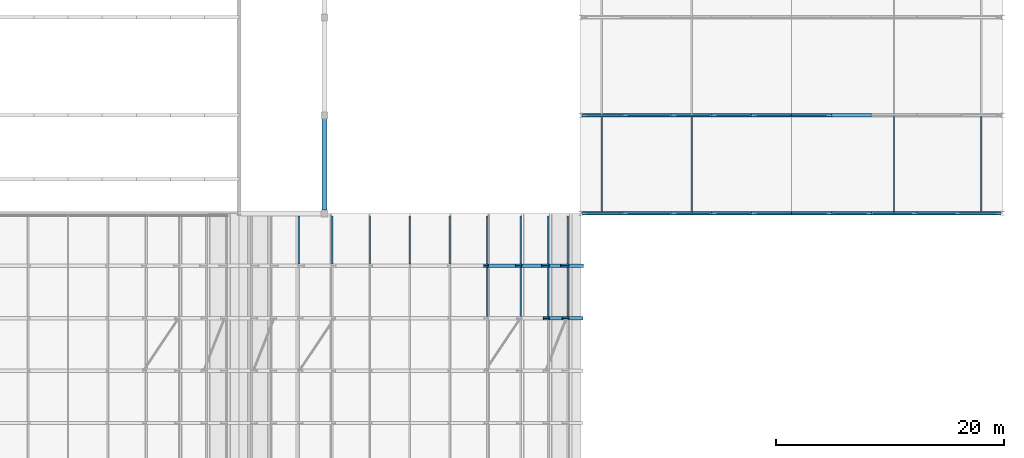
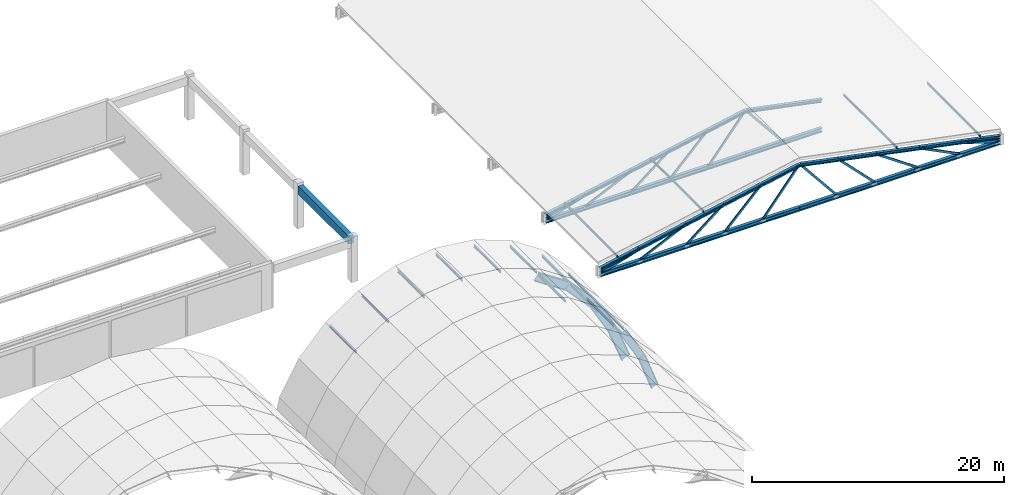
# One storey, part 16 of 47: 50 members, 24 beams.
"""IFC4 building model written with IfcOpenShell, lengths in metres."""

from ifc_helpers import new_model, si_unit, direction, frame, origin, origin_2d, place, context, subcontext, project, spatial, rectangle, hollow_rectangle, i_section, extrude, material, material_profile, profile_set, type_object, element, save


model = new_model("IFC4")

# Units and contexts
model_context = context("Model", 3, precision=1e-05, world=origin(), true_north=direction((0.0, 1.0)))
body_context = subcontext(model_context, "Body", "Model", "MODEL_VIEW")
ifc_project = project(units=[si_unit("LENGTHUNIT", "METRE"), si_unit("AREAUNIT", "SQUARE_METRE"), si_unit("VOLUMEUNIT", "CUBIC_METRE"), si_unit("PLANEANGLEUNIT", "RADIAN"), si_unit("MASSUNIT", "GRAM", prefix="KILO")], contexts=[model_context])

# Site, building, storey
site_placement = place(None, origin())
site = spatial("IfcSite", under=ifc_project, at=site_placement, CompositionType="ELEMENT")
building_placement = place(site_placement, origin())
building = spatial("IfcBuilding", under=site, at=building_placement, Name="Muzn Square Opera House", CompositionType="ELEMENT")
storey_placement = place(building_placement, frame((0.0, 0.0, 31.0)))
storey = spatial("IfcBuildingStorey", under=building, at=storey_placement, Name="RF-1", CompositionType="ELEMENT", Elevation=31.0)

# Beams
ifc_material_1 = material(Name="Steel S355", Category="steel")
ifc_material_profile_1 = material_profile(ifc_material_1, i_section(OverallWidth=0.300048828125, OverallDepth=0.800048828125, WebThickness=0.017578125, FlangeThickness=0.032958984375, FilletRadius=0.030029296875, at=origin_2d()), Name="HEB 800", Category="steel")
ifc_profile_set_1 = profile_set([ifc_material_profile_1], Name="Steel S355")
beam_type_1 = type_object("IfcBeamType", Name="Gable Arch Rib HEB800", PredefinedType="BEAM", material=ifc_profile_set_1)
beam_1_placement = place(storey_placement, frame((124.677490234375, 68.0, -1.83642578125), z_axis=(0.832701668502, 0.0, -0.553721889827), x_axis=(0.0, 1.0, 0.0)))
element("IfcBeam", 1, at=beam_1_placement, inside=storey, type_object=beam_type_1, Name="Barrel Vault Arch Rib V3-10-S08", PredefinedType="BEAM", context=body_context, shape_type="SweptSolid", body=[
    extrude(i_section(OverallWidth=0.300048828125, OverallDepth=0.800048828125, WebThickness=0.017578125, FlangeThickness=0.032958984375, FilletRadius=0.030029296875, at=origin_2d()), origin(), (0.0, 0.0, 1.0), 3.456787109375),
])
beam_2_placement = place(storey_placement, frame((127.555908203125, 68.0, -3.75048828125), z_axis=(0.681076644636, 0.0, -0.732212130555), x_axis=(0.0, 1.0, 0.0)))
element("IfcBeam", 2, at=beam_2_placement, inside=storey, type_object=beam_type_1, Name="Barrel Vault Arch Rib V3-10-S09", PredefinedType="BEAM", context=body_context, shape_type="SweptSolid", body=[
    extrude(i_section(OverallWidth=0.300048828125, OverallDepth=0.800048828125, WebThickness=0.017578125, FlangeThickness=0.032958984375, FilletRadius=0.030029296875, at=origin_2d()), origin(), (0.0, 0.0, 1.0), 3.45654296875),
])
beam_3_placement = place(storey_placement, frame((129.91015625, 68.0, -6.281494140625), z_axis=(0.492117762624, 0.0, -0.870528636927), x_axis=(0.0, 1.0, 0.0)))
element("IfcBeam", 3, at=beam_3_placement, inside=storey, type_object=beam_type_1, Name="Barrel Vault Arch Rib V3-10-S10", PredefinedType="BEAM", context=body_context, shape_type="SweptSolid", body=[
    extrude(i_section(OverallWidth=0.300048828125, OverallDepth=0.800048828125, WebThickness=0.017578125, FlangeThickness=0.032958984375, FilletRadius=0.030029296875, at=origin_2d()), origin(), (0.0, 0.0, 1.0), 3.456787109375),
])
beam_4_placement = place(storey_placement, frame((131.611328125, 68.0, -9.290771484375), z_axis=(0.362708999619, 0.0, -0.931902452832), x_axis=(0.0, 1.0, 0.0)))
element("IfcBeam", 4, at=beam_4_placement, inside=storey, type_object=beam_type_1, Name="Barrel Vault Arch Rib V3-10-S11", PredefinedType="BEAM", context=body_context, shape_type="SweptSolid", body=[
    extrude(i_section(OverallWidth=0.300048828125, OverallDepth=0.800048828125, WebThickness=0.017578125, FlangeThickness=0.032958984375, FilletRadius=0.030029296875, at=origin_2d()), origin(), (0.0, 0.0, 1.0), 3.49755859375),
])

# Members
ifc_material_profile_2 = material_profile(ifc_material_1, hollow_rectangle(XDim=0.10009765625, YDim=0.199951171875, WallThickness=0.008056640625, at=origin_2d()), Name="RHS 200x100x8", Category="steel")
ifc_profile_set_2 = profile_set([ifc_material_profile_2], Name="Steel S355")
member_type_1 = type_object("IfcMemberType", Name="Pavilion Truss Brace RHS200x100", PredefinedType="BRACE", material=ifc_profile_set_2)
member_1_placement = place(storey_placement, frame((136.85009765625, 72.60009765625, -7.239990234375), z_axis=(0.906752115722, 0.0, 0.421664085064), x_axis=(0.0, 1.0, 0.0)))
element("IfcMember", 5, at=member_1_placement, inside=storey, type_object=member_type_1, Name="Rehearsal Roof Truss Diagonal T1-1", PredefinedType="BRACE", context=body_context, shape_type="SweptSolid", body=[
    extrude(hollow_rectangle(XDim=0.10009765625, YDim=0.199951171875, WallThickness=0.008056640625, at=origin_2d()), origin(), (0.0, 0.0, 1.0), 4.411376953125),
])
member_2_placement = place(storey_placement, frame((141.14990234375, 72.60009765625, -7.239990234375), z_axis=(0.780880433271, 0.0, 0.624680517492), x_axis=(0.0, 1.0, 0.0)))
element("IfcMember", 6, at=member_2_placement, inside=storey, type_object=member_type_1, Name="Rehearsal Roof Truss Diagonal T1-2", PredefinedType="BRACE", context=body_context, shape_type="SweptSolid", body=[
    extrude(hollow_rectangle(XDim=0.10009765625, YDim=0.199951171875, WallThickness=0.008056640625, at=origin_2d()), origin(), (0.0, 0.0, 1.0), 4.09814453125),
])
member_3_placement = place(storey_placement, frame((144.64990234375, 72.60009765625, -7.239990234375), z_axis=(0.700529716954, 0.0, 0.713623230889), x_axis=(0.0, 1.0, 0.0)))
element("IfcMember", 7, at=member_3_placement, inside=storey, type_object=member_type_1, Name="Rehearsal Roof Truss Diagonal T1-3", PredefinedType="BRACE", context=body_context, shape_type="SweptSolid", body=[
    extrude(hollow_rectangle(XDim=0.10009765625, YDim=0.199951171875, WallThickness=0.008056640625, at=origin_2d()), origin(), (0.0, 0.0, 1.0), 4.568359375),
])
for number, where, z_axis, x_axis, name in (
    (8, (148.14990234375, 72.60009765625, -7.239990234375), (0.62854691989, 0.0, 0.777771669256), (0.0, 1.0, 0.0), "Rehearsal Roof Truss Diagonal T1-4"),
    (9, (154.85009765625, 72.60009765625, -7.239990234375), (-0.62854691989, 0.0, 0.777771669256), (0.0, -1.0, 0.0), "Rehearsal Roof Truss Diagonal T1-5"),
):
    element("IfcMember", number, at=place(storey_placement, frame(where, z_axis=z_axis, x_axis=x_axis)), inside=storey, type_object=member_type_1, Name=name, PredefinedType="BRACE", context=body_context, shape_type="SweptSolid", body=[
        extrude(hollow_rectangle(XDim=0.10009765625, YDim=0.199951171875, WallThickness=0.008056640625, at=origin_2d()), origin(), (0.0, 0.0, 1.0), 5.09130859375),
    ])
member_4_placement = place(storey_placement, frame((158.35009765625, 72.60009765625, -7.239990234375), z_axis=(-0.700529716954, 0.0, 0.713623230889), x_axis=(0.0, -1.0, 0.0)))
element("IfcMember", 10, at=member_4_placement, inside=storey, type_object=member_type_1, Name="Rehearsal Roof Truss Diagonal T1-6", PredefinedType="BRACE", context=body_context, shape_type="SweptSolid", body=[
    extrude(hollow_rectangle(XDim=0.10009765625, YDim=0.199951171875, WallThickness=0.008056640625, at=origin_2d()), origin(), (0.0, 0.0, 1.0), 4.568359375),
])
member_5_placement = place(storey_placement, frame((162.35009765625, 72.60009765625, -7.239990234375), z_axis=(-0.822360143896, 0.0, 0.568967304625), x_axis=(0.0, -1.0, 0.0)))
element("IfcMember", 11, at=member_5_placement, inside=storey, type_object=member_type_1, Name="Rehearsal Roof Truss Diagonal T1-7", PredefinedType="BRACE", context=body_context, shape_type="SweptSolid", body=[
    extrude(hollow_rectangle(XDim=0.10009765625, YDim=0.199951171875, WallThickness=0.008056640625, at=origin_2d()), origin(), (0.0, 0.0, 1.0), 4.49951171875),
])
member_6_placement = place(storey_placement, frame((166.14990234375, 72.60009765625, -7.239990234375), z_axis=(-0.893402826425, 0.0, 0.44925648547), x_axis=(0.0, -1.0, 0.0)))
element("IfcMember", 12, at=member_6_placement, inside=storey, type_object=member_type_1, Name="Rehearsal Roof Truss Diagonal T1-8", PredefinedType="BRACE", context=body_context, shape_type="SweptSolid", body=[
    extrude(hollow_rectangle(XDim=0.10009765625, YDim=0.199951171875, WallThickness=0.008056640625, at=origin_2d()), origin(), (0.0, 0.0, 1.0), 3.917724609375),
])
member_7_placement = place(storey_placement, frame((136.85009765625, 81.199951171875, -7.239990234375), z_axis=(0.906752115722, 0.0, 0.421664085064), x_axis=(0.0, 1.0, 0.0)))
element("IfcMember", 13, at=member_7_placement, inside=storey, type_object=member_type_1, Name="Rehearsal Roof Truss Diagonal T2-1", PredefinedType="BRACE", context=body_context, shape_type="SweptSolid", body=[
    extrude(hollow_rectangle(XDim=0.10009765625, YDim=0.199951171875, WallThickness=0.008056640625, at=origin_2d()), origin(), (0.0, 0.0, 1.0), 4.411376953125),
])
member_8_placement = place(storey_placement, frame((141.14990234375, 81.199951171875, -7.239990234375), z_axis=(0.780880433271, 0.0, 0.624680517492), x_axis=(0.0, 1.0, 0.0)))
element("IfcMember", 14, at=member_8_placement, inside=storey, type_object=member_type_1, Name="Rehearsal Roof Truss Diagonal T2-2", PredefinedType="BRACE", context=body_context, shape_type="SweptSolid", body=[
    extrude(hollow_rectangle(XDim=0.10009765625, YDim=0.199951171875, WallThickness=0.008056640625, at=origin_2d()), origin(), (0.0, 0.0, 1.0), 4.09814453125),
])
member_9_placement = place(storey_placement, frame((144.64990234375, 81.199951171875, -7.239990234375), z_axis=(0.700529716954, 0.0, 0.713623230889), x_axis=(0.0, 1.0, 0.0)))
element("IfcMember", 15, at=member_9_placement, inside=storey, type_object=member_type_1, Name="Rehearsal Roof Truss Diagonal T2-3", PredefinedType="BRACE", context=body_context, shape_type="SweptSolid", body=[
    extrude(hollow_rectangle(XDim=0.10009765625, YDim=0.199951171875, WallThickness=0.008056640625, at=origin_2d()), origin(), (0.0, 0.0, 1.0), 4.568359375),
])
for number, where, z_axis, x_axis, name in (
    (16, (148.14990234375, 81.199951171875, -7.239990234375), (0.62854691989, 0.0, 0.777771669256), (0.0, 1.0, 0.0), "Rehearsal Roof Truss Diagonal T2-4"),
    (17, (154.85009765625, 81.199951171875, -7.239990234375), (-0.62854691989, 0.0, 0.777771669256), (0.0, -1.0, 0.0), "Rehearsal Roof Truss Diagonal T2-5"),
):
    element("IfcMember", number, at=place(storey_placement, frame(where, z_axis=z_axis, x_axis=x_axis)), inside=storey, type_object=member_type_1, Name=name, PredefinedType="BRACE", context=body_context, shape_type="SweptSolid", body=[
        extrude(hollow_rectangle(XDim=0.10009765625, YDim=0.199951171875, WallThickness=0.008056640625, at=origin_2d()), origin(), (0.0, 0.0, 1.0), 5.09130859375),
    ])
ifc_material_profile_3 = material_profile(ifc_material_1, hollow_rectangle(XDim=0.14990234375, YDim=0.25, WallThickness=0.010009765625, at=origin_2d()), Name="RHS 250x150x10", Category="steel")
ifc_profile_set_3 = profile_set([ifc_material_profile_3], Name="Steel S355")
member_type_2 = type_object("IfcMemberType", Name="Pavilion Truss Brace RHS250x150", PredefinedType="BRACE", material=ifc_profile_set_3)
for number, where, z_axis, x_axis, name in (
    (18, (133.280029296875, 72.60009765625, -7.239990234375), (0.95628392793, 0.0, 0.292439821472), (0.0, 1.0, 0.0), "Rehearsal Roof Truss Diagonal T1-0"),
    (19, (169.719970703125, 72.60009765625, -7.239990234375), (-0.95628392793, 0.0, 0.292439821472), (0.0, -1.0, 0.0), "Rehearsal Roof Truss Diagonal T1-9"),
    (20, (133.280029296875, 81.199951171875, -7.239990234375), (0.95628392793, 0.0, 0.292439821472), (0.0, 1.0, 0.0), "Rehearsal Roof Truss Diagonal T2-0"),
):
    element("IfcMember", number, at=place(storey_placement, frame(where, z_axis=z_axis, x_axis=x_axis)), inside=storey, type_object=member_type_2, Name=name, PredefinedType="BRACE", context=body_context, shape_type="SweptSolid", body=[
        extrude(hollow_rectangle(XDim=0.14990234375, YDim=0.25, WallThickness=0.010009765625, at=origin_2d()), origin(), (0.0, 0.0, 1.0), 3.41943359375),
    ])

# Beam
ifc_material_2 = material(Name="Concrete C40/50", Category="concrete")
ifc_material_profile_4 = material_profile(ifc_material_2, rectangle(XDim=0.449951171875, YDim=0.800048828125, at=origin_2d()), Name="RCB 450x800", Category="concrete")
ifc_profile_set_4 = profile_set([ifc_material_profile_4], Name="Concrete C40/50")
beam_type_2 = type_object("IfcBeamType", Name="Primary Girder 450x800", PredefinedType="BEAM", material=ifc_profile_set_4)
beam_5_placement = place(storey_placement, frame((110.5, 72.89208984375, 3.75), z_axis=(0.0, 1.0, 0.0), x_axis=(-1.0, 0.0, 0.0)))
element("IfcBeam", 21, at=beam_5_placement, inside=storey, type_object=beam_type_2, Name="Primary Girder BM-RF1-BM-PG800-1105_729_1105_809-2775", PredefinedType="BEAM", context=body_context, shape_type="SweptSolid", body=[
    extrude(rectangle(XDim=0.449951171875, YDim=0.800048828125, at=origin_2d()), origin(), (0.0, 0.0, 1.0), 8.015869140625),
])

# Members
ifc_material_profile_5 = material_profile(ifc_material_1, i_section(OverallWidth=0.300048828125, OverallDepth=0.389892578125, WebThickness=0.010986328125, FlangeThickness=0.01904296875, FilletRadius=0.027099609375, at=origin_2d()), Name="HEA 400", Category="steel")
ifc_profile_set_5 = profile_set([ifc_material_profile_5], Name="Steel S355")
member_type_3 = type_object("IfcMemberType", Name="Rehearsal Truss Chord HEA400", PredefinedType="CHORD", material=ifc_profile_set_5)
member_10_placement = place(storey_placement, frame((133.139892578125, 72.60009765625, -7.3798828125), z_axis=(1.0, 0.0, 0.0), x_axis=(0.0, 1.0, 0.0)))
element("IfcMember", 22, at=member_10_placement, inside=storey, type_object=member_type_3, Name="Rehearsal Roof Truss Bottom Chord T1-0", PredefinedType="CHORD", context=body_context, shape_type="SweptSolid", body=[
    extrude(i_section(OverallWidth=0.300048828125, OverallDepth=0.389892578125, WebThickness=0.010986328125, FlangeThickness=0.01904296875, FilletRadius=0.027099609375, at=origin_2d()), origin(), (0.0, 0.0, 1.0), 3.550048828125),
])
member_11_placement = place(storey_placement, frame((136.7099609375, 72.60009765625, -7.3798828125), z_axis=(1.0, 0.0, 0.0), x_axis=(0.0, 1.0, 0.0)))
element("IfcMember", 23, at=member_11_placement, inside=storey, type_object=member_type_3, Name="Rehearsal Roof Truss Bottom Chord T1-1", PredefinedType="CHORD", context=body_context, shape_type="SweptSolid", body=[
    extrude(i_section(OverallWidth=0.300048828125, OverallDepth=0.389892578125, WebThickness=0.010986328125, FlangeThickness=0.01904296875, FilletRadius=0.027099609375, at=origin_2d()), origin(), (0.0, 0.0, 1.0), 4.280029296875),
])
for number, where, z_axis, x_axis, name in (
    (24, (141.010009765625, 72.60009765625, -7.3798828125), (1.0, 0.0, 0.0), (0.0, 1.0, 0.0), "Rehearsal Roof Truss Bottom Chord T1-2"),
    (25, (144.510009765625, 72.60009765625, -7.3798828125), (1.0, 0.0, 0.0), (0.0, 1.0, 0.0), "Rehearsal Roof Truss Bottom Chord T1-3"),
    (26, (148.010009765625, 72.60009765625, -7.3798828125), (1.0, 0.0, 0.0), (0.0, 1.0, 0.0), "Rehearsal Roof Truss Bottom Chord T1-4"),
    (27, (151.510009765625, 72.60009765625, -7.3798828125), (1.0, 0.0, 0.0), (0.0, 1.0, 0.0), "Rehearsal Roof Truss Bottom Chord T1-5"),
    (28, (155.010009765625, 72.60009765625, -7.3798828125), (1.0, 0.0, 0.0), (0.0, 1.0, 0.0), "Rehearsal Roof Truss Bottom Chord T1-6"),
):
    element("IfcMember", number, at=place(storey_placement, frame(where, z_axis=z_axis, x_axis=x_axis)), inside=storey, type_object=member_type_3, Name=name, PredefinedType="CHORD", context=body_context, shape_type="SweptSolid", body=[
        extrude(i_section(OverallWidth=0.300048828125, OverallDepth=0.389892578125, WebThickness=0.010986328125, FlangeThickness=0.01904296875, FilletRadius=0.027099609375, at=origin_2d()), origin(), (0.0, 0.0, 1.0), 3.47998046875),
    ])
member_12_placement = place(storey_placement, frame((158.510009765625, 72.60009765625, -7.3798828125), z_axis=(1.0, 0.0, 0.0), x_axis=(0.0, 1.0, 0.0)))
element("IfcMember", 29, at=member_12_placement, inside=storey, type_object=member_type_3, Name="Rehearsal Roof Truss Bottom Chord T1-7", PredefinedType="CHORD", context=body_context, shape_type="SweptSolid", body=[
    extrude(i_section(OverallWidth=0.300048828125, OverallDepth=0.389892578125, WebThickness=0.010986328125, FlangeThickness=0.01904296875, FilletRadius=0.027099609375, at=origin_2d()), origin(), (0.0, 0.0, 1.0), 3.97998046875),
])
member_13_placement = place(storey_placement, frame((162.510009765625, 72.60009765625, -7.3798828125), z_axis=(1.0, 0.0, 0.0), x_axis=(0.0, 1.0, 0.0)))
element("IfcMember", 30, at=member_13_placement, inside=storey, type_object=member_type_3, Name="Rehearsal Roof Truss Bottom Chord T1-8", PredefinedType="CHORD", context=body_context, shape_type="SweptSolid", body=[
    extrude(i_section(OverallWidth=0.300048828125, OverallDepth=0.389892578125, WebThickness=0.010986328125, FlangeThickness=0.01904296875, FilletRadius=0.027099609375, at=origin_2d()), origin(), (0.0, 0.0, 1.0), 3.780029296875),
])
for number, where, z_axis, x_axis, name in (
    (31, (166.31005859375, 72.60009765625, -7.3798828125), (1.0, 0.0, 0.0), (0.0, 1.0, 0.0), "Rehearsal Roof Truss Bottom Chord T1-9"),
    (32, (133.139892578125, 81.199951171875, -7.3798828125), (1.0, 0.0, 0.0), (0.0, 1.0, 0.0), "Rehearsal Roof Truss Bottom Chord T2-0"),
):
    element("IfcMember", number, at=place(storey_placement, frame(where, z_axis=z_axis, x_axis=x_axis)), inside=storey, type_object=member_type_3, Name=name, PredefinedType="CHORD", context=body_context, shape_type="SweptSolid", body=[
        extrude(i_section(OverallWidth=0.300048828125, OverallDepth=0.389892578125, WebThickness=0.010986328125, FlangeThickness=0.01904296875, FilletRadius=0.027099609375, at=origin_2d()), origin(), (0.0, 0.0, 1.0), 3.550048828125),
    ])
member_14_placement = place(storey_placement, frame((136.7099609375, 81.199951171875, -7.3798828125), z_axis=(1.0, 0.0, 0.0), x_axis=(0.0, 1.0, 0.0)))
element("IfcMember", 33, at=member_14_placement, inside=storey, type_object=member_type_3, Name="Rehearsal Roof Truss Bottom Chord T2-1", PredefinedType="CHORD", context=body_context, shape_type="SweptSolid", body=[
    extrude(i_section(OverallWidth=0.300048828125, OverallDepth=0.389892578125, WebThickness=0.010986328125, FlangeThickness=0.01904296875, FilletRadius=0.027099609375, at=origin_2d()), origin(), (0.0, 0.0, 1.0), 4.280029296875),
])
for number, where, z_axis, x_axis, name in (
    (34, (141.010009765625, 81.199951171875, -7.3798828125), (1.0, 0.0, 0.0), (0.0, 1.0, 0.0), "Rehearsal Roof Truss Bottom Chord T2-2"),
    (35, (144.510009765625, 81.199951171875, -7.3798828125), (1.0, 0.0, 0.0), (0.0, 1.0, 0.0), "Rehearsal Roof Truss Bottom Chord T2-3"),
    (36, (148.010009765625, 81.199951171875, -7.3798828125), (1.0, 0.0, 0.0), (0.0, 1.0, 0.0), "Rehearsal Roof Truss Bottom Chord T2-4"),
    (37, (151.510009765625, 81.199951171875, -7.3798828125), (1.0, 0.0, 0.0), (0.0, 1.0, 0.0), "Rehearsal Roof Truss Bottom Chord T2-5"),
    (38, (155.010009765625, 81.199951171875, -7.3798828125), (1.0, 0.0, 0.0), (0.0, 1.0, 0.0), "Rehearsal Roof Truss Bottom Chord T2-6"),
):
    element("IfcMember", number, at=place(storey_placement, frame(where, z_axis=z_axis, x_axis=x_axis)), inside=storey, type_object=member_type_3, Name=name, PredefinedType="CHORD", context=body_context, shape_type="SweptSolid", body=[
        extrude(i_section(OverallWidth=0.300048828125, OverallDepth=0.389892578125, WebThickness=0.010986328125, FlangeThickness=0.01904296875, FilletRadius=0.027099609375, at=origin_2d()), origin(), (0.0, 0.0, 1.0), 3.47998046875),
    ])

# Beams
ifc_material_profile_6 = material_profile(ifc_material_1, i_section(OverallWidth=0.10009765625, OverallDepth=0.199951171875, WebThickness=0.005615234375, FlangeThickness=0.008544921875, FilletRadius=0.011962890625, at=origin_2d()), Name="IPE 200", Category="steel")
ifc_profile_set_6 = profile_set([ifc_material_profile_6], Name="Steel S355")
beam_type_3 = type_object("IfcBeamType", Name="Roof Purlin IPE200", PredefinedType="USERDEFINED", material=ifc_profile_set_6)
for number, where, z_axis, x_axis, name in (
    (39, (134.85009765625, 72.6201171875, -6.2529296875), (0.0, 1.0, 0.0), (-1.0, 0.0, 0.0), "Rehearsal Roof Purlin RHPU-01-0"),
    (40, (142.75, 72.6201171875, -4.673095703125), (0.0, 1.0, 0.0), (-1.0, 0.0, 0.0), "Rehearsal Roof Purlin RHPU-02-0"),
    (41, (160.5, 72.6201171875, -4.722900390625), (0.0, 1.0, 0.0), (-1.0, 0.0, 0.0), "Rehearsal Roof Purlin RHPU-03-0"),
    (42, (168.14990234375, 72.6201171875, -6.2529296875), (0.0, 1.0, 0.0), (-1.0, 0.0, 0.0), "Rehearsal Roof Purlin RHPU-04-0"),
):
    element("IfcBeam", number, at=place(storey_placement, frame(where, z_axis=z_axis, x_axis=x_axis)), inside=storey, type_object=beam_type_3, Name=name, ObjectType="PURLIN", PredefinedType="USERDEFINED", context=body_context, shape_type="SweptSolid", body=[
        extrude(i_section(OverallWidth=0.10009765625, OverallDepth=0.199951171875, WebThickness=0.005615234375, FlangeThickness=0.008544921875, FilletRadius=0.011962890625, at=origin_2d()), origin(), (0.0, 0.0, 1.0), 8.559814453125),
    ])
ifc_material_profile_7 = material_profile(ifc_material_1, i_section(OverallWidth=0.1201171875, OverallDepth=0.239990234375, WebThickness=0.006103515625, FlangeThickness=0.009765625, FilletRadius=0.014892578125, at=origin_2d()), Name="IPE 240", Category="steel")
ifc_profile_set_7 = profile_set([ifc_material_profile_7], Name="Steel S355")
beam_type_4 = type_object("IfcBeamType", Name="Roof Purlin IPE240", PredefinedType="USERDEFINED", material=ifc_profile_set_7)
for number, where, z_axis, x_axis, name in (
    (43, (124.80419921875, 63.5400390625, -1.5869140625), (0.0, 1.0, 0.0), (-1.0, 0.0, 0.0), "Barrel Vault Roof Purlin V3-09-P16"),
    (44, (127.7373046875, 63.5400390625, -3.537109375), (0.0, 1.0, 0.0), (-1.0, 0.0, 0.0), "Barrel Vault Roof Purlin V3-09-P18"),
    (45, (130.13623046875, 63.5400390625, -6.1162109375), (0.0, 1.0, 0.0), (-1.0, 0.0, 0.0), "Barrel Vault Roof Purlin V3-09-P20"),
    (46, (131.869384765625, 63.5400390625, -9.1826171875), (0.0, 1.0, 0.0), (-1.0, 0.0, 0.0), "Barrel Vault Roof Purlin V3-09-P22"),
):
    element("IfcBeam", number, at=place(storey_placement, frame(where, z_axis=z_axis, x_axis=x_axis)), inside=storey, type_object=beam_type_4, Name=name, ObjectType="PURLIN", PredefinedType="USERDEFINED", context=body_context, shape_type="SweptSolid", body=[
        extrude(i_section(OverallWidth=0.1201171875, OverallDepth=0.239990234375, WebThickness=0.006103515625, FlangeThickness=0.009765625, FilletRadius=0.014892578125, at=origin_2d()), origin(), (0.0, 0.0, 1.0), 4.320068359375),
    ])
for number, where, z_axis, x_axis, name in (
    (47, (108.2626953125, 68.139892578125, -3.537109375), (0.0, 1.0, 0.0), (-1.0, 0.0, 0.0), "Barrel Vault Roof Purlin V3-10-P06"),
    (48, (111.19580078125, 68.139892578125, -1.5869140625), (0.0, 1.0, 0.0), (-1.0, 0.0, 0.0), "Barrel Vault Roof Purlin V3-10-P08"),
    (49, (114.501953125, 68.139892578125, -0.3720703125), (0.0, 1.0, 0.0), (-1.0, 0.0, 0.0), "Barrel Vault Roof Purlin V3-10-P10"),
    (50, (118.0, 68.139892578125, 0.0400390625), (0.0, 1.0, 0.0), (-1.0, 0.0, 0.0), "Barrel Vault Roof Purlin V3-10-P12"),
    (51, (121.498046875, 68.139892578125, -0.3720703125), (0.0, 1.0, 0.0), (-1.0, 0.0, 0.0), "Barrel Vault Roof Purlin V3-10-P14"),
    (52, (124.80419921875, 68.139892578125, -1.5869140625), (0.0, 1.0, 0.0), (-1.0, 0.0, 0.0), "Barrel Vault Roof Purlin V3-10-P16"),
    (53, (127.7373046875, 68.139892578125, -3.537109375), (0.0, 1.0, 0.0), (-1.0, 0.0, 0.0), "Barrel Vault Roof Purlin V3-10-P18"),
    (54, (130.13623046875, 68.139892578125, -6.1162109375), (0.0, 1.0, 0.0), (-1.0, 0.0, 0.0), "Barrel Vault Roof Purlin V3-10-P20"),
    (55, (131.869384765625, 68.139892578125, -9.1826171875), (0.0, 1.0, 0.0), (-1.0, 0.0, 0.0), "Barrel Vault Roof Purlin V3-10-P22"),
):
    element("IfcBeam", number, at=place(storey_placement, frame(where, z_axis=z_axis, x_axis=x_axis)), inside=storey, type_object=beam_type_4, Name=name, ObjectType="PURLIN", PredefinedType="USERDEFINED", context=body_context, shape_type="SweptSolid", body=[
        extrude(i_section(OverallWidth=0.1201171875, OverallDepth=0.239990234375, WebThickness=0.006103515625, FlangeThickness=0.009765625, FilletRadius=0.014892578125, at=origin_2d()), origin(), (0.0, 0.0, 1.0), 4.239990234375),
    ])

# Members
ifc_material_profile_8 = material_profile(ifc_material_1, i_section(OverallWidth=0.300048828125, OverallDepth=0.2900390625, WebThickness=0.008544921875, FlangeThickness=0.013916015625, FilletRadius=0.027099609375, at=origin_2d()), Name="HEA 300", Category="steel")
ifc_profile_set_8 = profile_set([ifc_material_profile_8], Name="Steel S355")
member_type_4 = type_object("IfcMemberType", Name="Secondary Truss Chord HEA300", PredefinedType="CHORD", material=ifc_profile_set_8)
member_15_placement = place(storey_placement, frame((133.139892578125, 72.60009765625, -6.860107421875), z_axis=(0.978958570223, 0.0, 0.204059103662), x_axis=(0.0, 1.0, 0.0)))
element("IfcMember", 56, at=member_15_placement, inside=storey, type_object=member_type_4, Name="Rehearsal Roof Truss Top Chord T1-0", PredefinedType="CHORD", context=body_context, shape_type="SweptSolid", body=[
    extrude(i_section(OverallWidth=0.300048828125, OverallDepth=0.2900390625, WebThickness=0.008544921875, FlangeThickness=0.013916015625, FilletRadius=0.027099609375, at=origin_2d()), origin(), (0.0, 0.0, 1.0), 3.62646484375),
])
member_16_placement = place(storey_placement, frame((136.7099609375, 72.60009765625, -6.1201171875), z_axis=(0.980399582769, 0.0, 0.197019435862), x_axis=(0.0, 1.0, 0.0)))
element("IfcMember", 57, at=member_16_placement, inside=storey, type_object=member_type_4, Name="Rehearsal Roof Truss Top Chord T1-1", PredefinedType="CHORD", context=body_context, shape_type="SweptSolid", body=[
    extrude(i_section(OverallWidth=0.300048828125, OverallDepth=0.2900390625, WebThickness=0.008544921875, FlangeThickness=0.013916015625, FilletRadius=0.027099609375, at=origin_2d()), origin(), (0.0, 0.0, 1.0), 4.365478515625),
])
for number, where, z_axis, x_axis, name in (
    (58, (141.010009765625, 72.60009765625, -5.260009765625), (0.980365819583, 0.0, 0.197187372299), (0.0, 1.0, 0.0), "Rehearsal Roof Truss Top Chord T1-2"),
    (59, (144.510009765625, 72.60009765625, -4.56005859375), (0.980365819583, 0.0, 0.197187372299), (0.0, 1.0, 0.0), "Rehearsal Roof Truss Top Chord T1-3"),
):
    element("IfcMember", number, at=place(storey_placement, frame(where, z_axis=z_axis, x_axis=x_axis)), inside=storey, type_object=member_type_4, Name=name, PredefinedType="CHORD", context=body_context, shape_type="SweptSolid", body=[
        extrude(i_section(OverallWidth=0.300048828125, OverallDepth=0.2900390625, WebThickness=0.008544921875, FlangeThickness=0.013916015625, FilletRadius=0.027099609375, at=origin_2d()), origin(), (0.0, 0.0, 1.0), 3.549560546875),
    ])
for number, where, z_axis, x_axis, name in (
    (60, (148.010009765625, 72.60009765625, -3.860107421875), (0.980352521606, 0.0, 0.197253474952), (0.0, 1.0, 0.0), "Rehearsal Roof Truss Top Chord T1-4"),
    (61, (151.510009765625, 72.60009765625, -3.159912109375), (0.980352521606, 0.0, -0.197253474952), (0.0, 1.0, 0.0), "Rehearsal Roof Truss Top Chord T1-5"),
):
    element("IfcMember", number, at=place(storey_placement, frame(where, z_axis=z_axis, x_axis=x_axis)), inside=storey, type_object=member_type_4, Name=name, PredefinedType="CHORD", context=body_context, shape_type="SweptSolid", body=[
        extrude(i_section(OverallWidth=0.300048828125, OverallDepth=0.2900390625, WebThickness=0.008544921875, FlangeThickness=0.013916015625, FilletRadius=0.027099609375, at=origin_2d()), origin(), (0.0, 0.0, 1.0), 3.5498046875),
    ])
member_17_placement = place(storey_placement, frame((155.010009765625, 72.60009765625, -3.860107421875), z_axis=(0.980365819583, 0.0, -0.197187372299), x_axis=(0.0, 1.0, 0.0)))
element("IfcMember", 62, at=member_17_placement, inside=storey, type_object=member_type_4, Name="Rehearsal Roof Truss Top Chord T1-6", PredefinedType="CHORD", context=body_context, shape_type="SweptSolid", body=[
    extrude(i_section(OverallWidth=0.300048828125, OverallDepth=0.2900390625, WebThickness=0.008544921875, FlangeThickness=0.013916015625, FilletRadius=0.027099609375, at=origin_2d()), origin(), (0.0, 0.0, 1.0), 3.549560546875),
])
member_18_placement = place(storey_placement, frame((158.510009765625, 72.60009765625, -4.56005859375), z_axis=(0.980388223218, 0.0, -0.19707595433), x_axis=(0.0, 1.0, 0.0)))
element("IfcMember", 63, at=member_18_placement, inside=storey, type_object=member_type_4, Name="Rehearsal Roof Truss Top Chord T1-7", PredefinedType="CHORD", context=body_context, shape_type="SweptSolid", body=[
    extrude(i_section(OverallWidth=0.300048828125, OverallDepth=0.2900390625, WebThickness=0.008544921875, FlangeThickness=0.013916015625, FilletRadius=0.027099609375, at=origin_2d()), origin(), (0.0, 0.0, 1.0), 4.0595703125),
])
member_19_placement = place(storey_placement, frame((162.510009765625, 72.60009765625, -5.360107421875), z_axis=(0.980380466404, 0.0, -0.197114538004), x_axis=(0.0, 1.0, 0.0)))
element("IfcMember", 64, at=member_19_placement, inside=storey, type_object=member_type_4, Name="Rehearsal Roof Truss Top Chord T1-8", PredefinedType="CHORD", context=body_context, shape_type="SweptSolid", body=[
    extrude(i_section(OverallWidth=0.300048828125, OverallDepth=0.2900390625, WebThickness=0.008544921875, FlangeThickness=0.013916015625, FilletRadius=0.027099609375, at=origin_2d()), origin(), (0.0, 0.0, 1.0), 3.855712890625),
])
for number, where, z_axis, x_axis, name in (
    (65, (166.31005859375, 72.60009765625, -6.1201171875), (0.978958570223, 0.0, -0.204059103662), (0.0, 1.0, 0.0), "Rehearsal Roof Truss Top Chord T1-9"),
    (66, (133.139892578125, 81.199951171875, -6.860107421875), (0.978958570223, 0.0, 0.204059103662), (0.0, 1.0, 0.0), "Rehearsal Roof Truss Top Chord T2-0"),
):
    element("IfcMember", number, at=place(storey_placement, frame(where, z_axis=z_axis, x_axis=x_axis)), inside=storey, type_object=member_type_4, Name=name, PredefinedType="CHORD", context=body_context, shape_type="SweptSolid", body=[
        extrude(i_section(OverallWidth=0.300048828125, OverallDepth=0.2900390625, WebThickness=0.008544921875, FlangeThickness=0.013916015625, FilletRadius=0.027099609375, at=origin_2d()), origin(), (0.0, 0.0, 1.0), 3.62646484375),
    ])
member_20_placement = place(storey_placement, frame((136.7099609375, 81.199951171875, -6.1201171875), z_axis=(0.980399582769, 0.0, 0.197019435862), x_axis=(0.0, 1.0, 0.0)))
element("IfcMember", 67, at=member_20_placement, inside=storey, type_object=member_type_4, Name="Rehearsal Roof Truss Top Chord T2-1", PredefinedType="CHORD", context=body_context, shape_type="SweptSolid", body=[
    extrude(i_section(OverallWidth=0.300048828125, OverallDepth=0.2900390625, WebThickness=0.008544921875, FlangeThickness=0.013916015625, FilletRadius=0.027099609375, at=origin_2d()), origin(), (0.0, 0.0, 1.0), 4.365478515625),
])
for number, where, z_axis, x_axis, name in (
    (68, (141.010009765625, 81.199951171875, -5.260009765625), (0.980365819583, 0.0, 0.197187372299), (0.0, 1.0, 0.0), "Rehearsal Roof Truss Top Chord T2-2"),
    (69, (144.510009765625, 81.199951171875, -4.56005859375), (0.980365819583, 0.0, 0.197187372299), (0.0, 1.0, 0.0), "Rehearsal Roof Truss Top Chord T2-3"),
):
    element("IfcMember", number, at=place(storey_placement, frame(where, z_axis=z_axis, x_axis=x_axis)), inside=storey, type_object=member_type_4, Name=name, PredefinedType="CHORD", context=body_context, shape_type="SweptSolid", body=[
        extrude(i_section(OverallWidth=0.300048828125, OverallDepth=0.2900390625, WebThickness=0.008544921875, FlangeThickness=0.013916015625, FilletRadius=0.027099609375, at=origin_2d()), origin(), (0.0, 0.0, 1.0), 3.549560546875),
    ])
for number, where, z_axis, x_axis, name in (
    (70, (148.010009765625, 81.199951171875, -3.860107421875), (0.980352521606, 0.0, 0.197253474952), (0.0, 1.0, 0.0), "Rehearsal Roof Truss Top Chord T2-4"),
    (71, (151.510009765625, 81.199951171875, -3.159912109375), (0.980352521606, 0.0, -0.197253474952), (0.0, 1.0, 0.0), "Rehearsal Roof Truss Top Chord T2-5"),
):
    element("IfcMember", number, at=place(storey_placement, frame(where, z_axis=z_axis, x_axis=x_axis)), inside=storey, type_object=member_type_4, Name=name, PredefinedType="CHORD", context=body_context, shape_type="SweptSolid", body=[
        extrude(i_section(OverallWidth=0.300048828125, OverallDepth=0.2900390625, WebThickness=0.008544921875, FlangeThickness=0.013916015625, FilletRadius=0.027099609375, at=origin_2d()), origin(), (0.0, 0.0, 1.0), 3.5498046875),
    ])
member_21_placement = place(storey_placement, frame((155.010009765625, 81.199951171875, -3.860107421875), z_axis=(0.980365819583, 0.0, -0.197187372299), x_axis=(0.0, 1.0, 0.0)))
element("IfcMember", 72, at=member_21_placement, inside=storey, type_object=member_type_4, Name="Rehearsal Roof Truss Top Chord T2-6", PredefinedType="CHORD", context=body_context, shape_type="SweptSolid", body=[
    extrude(i_section(OverallWidth=0.300048828125, OverallDepth=0.2900390625, WebThickness=0.008544921875, FlangeThickness=0.013916015625, FilletRadius=0.027099609375, at=origin_2d()), origin(), (0.0, 0.0, 1.0), 3.549560546875),
])

# Beams
ifc_material_profile_9 = material_profile(ifc_material_1, i_section(OverallWidth=0.300048828125, OverallDepth=0.64990234375, WebThickness=0.01611328125, FlangeThickness=0.031005859375, FilletRadius=0.027099609375, at=origin_2d()), Name="HEB 650", Category="steel")
ifc_profile_set_9 = profile_set([ifc_material_profile_9], Name="Steel S355")
beam_type_5 = type_object("IfcBeamType", Name="Vault Arch Rib HEB650", PredefinedType="BEAM", material=ifc_profile_set_9)
beam_6_placement = place(storey_placement, frame((129.970703125, 63.39990234375, -6.2373046875), z_axis=(0.492115144444, 0.0, -0.870530117003), x_axis=(0.0, 1.0, 0.0)))
element("IfcBeam", 73, at=beam_6_placement, inside=storey, type_object=beam_type_5, Name="Barrel Vault Arch Rib V3-09-S10", PredefinedType="BEAM", context=body_context, shape_type="SweptSolid", body=[
    extrude(i_section(OverallWidth=0.300048828125, OverallDepth=0.64990234375, WebThickness=0.01611328125, FlangeThickness=0.031005859375, FilletRadius=0.027099609375, at=origin_2d()), origin(), (0.0, 0.0, 1.0), 3.47412109375),
])
beam_7_placement = place(storey_placement, frame((131.680419921875, 63.39990234375, -9.26171875), z_axis=(0.342678144973, 0.0, -0.93945286681), x_axis=(0.0, 1.0, 0.0)))
element("IfcBeam", 74, at=beam_7_placement, inside=storey, type_object=beam_type_5, Name="Barrel Vault Arch Rib V3-09-S11", PredefinedType="BEAM", context=body_context, shape_type="SweptSolid", body=[
    extrude(i_section(OverallWidth=0.300048828125, OverallDepth=0.64990234375, WebThickness=0.01611328125, FlangeThickness=0.031005859375, FilletRadius=0.027099609375, at=origin_2d()), origin(), (0.0, 0.0, 1.0), 3.500244140625),
])

save(model, "model.ifc")
